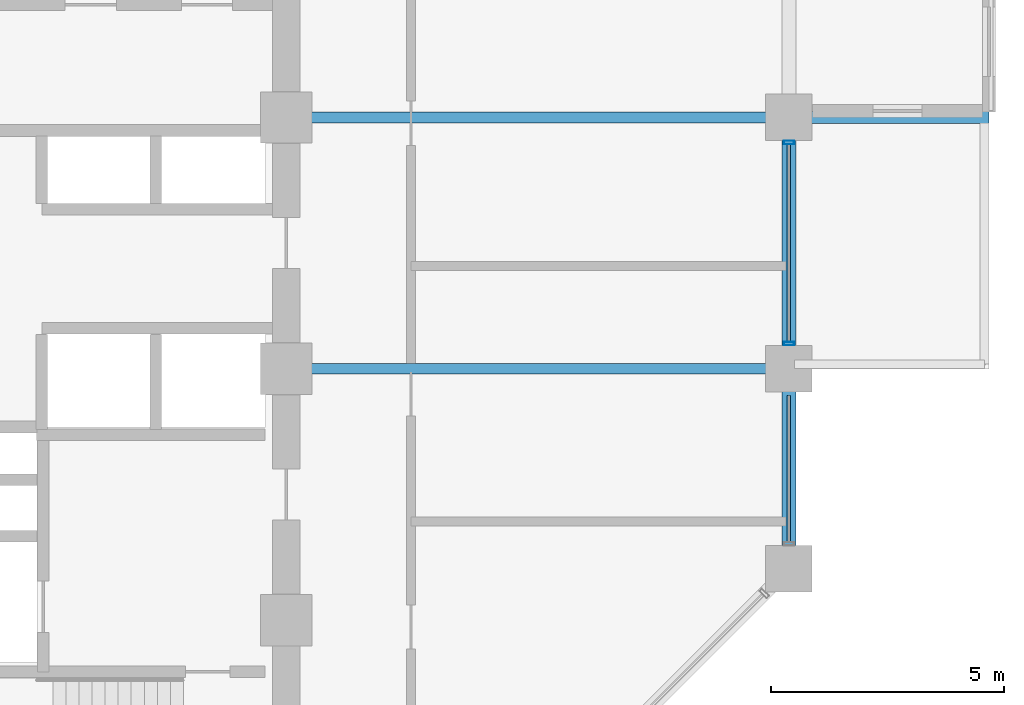
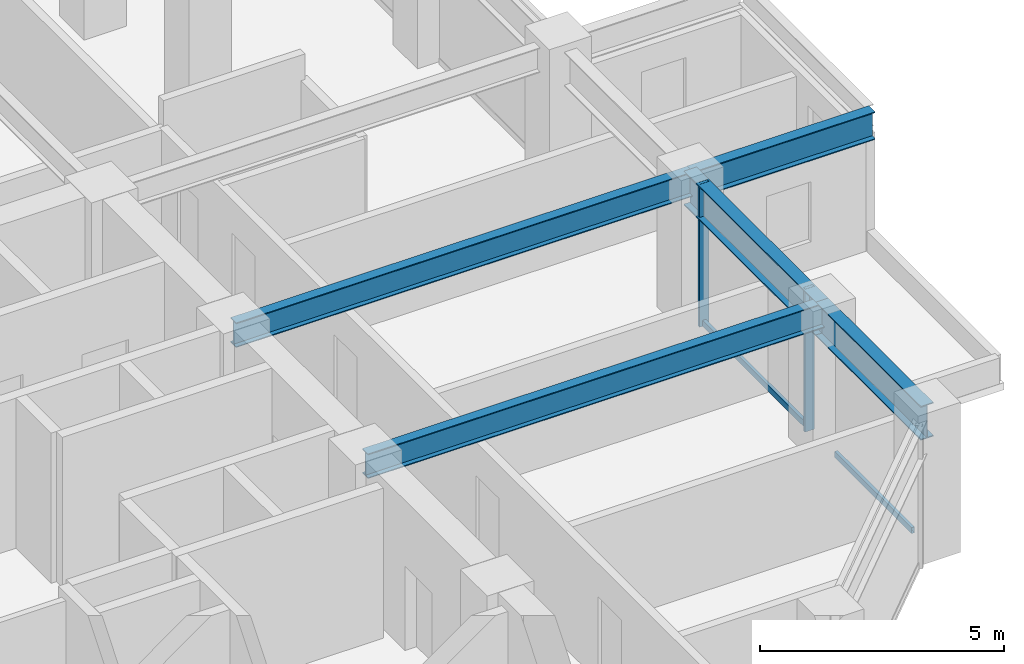
# One storey, part 9 of 29: 5 beams, 4 members, 1 element without a shape of its own.
"""IFC4 building model written with IfcOpenShell, lengths in metres."""

from ifc_helpers import new_model, si_unit, direction, frame, origin, origin_2d, place, context, subcontext, project, spatial, hollow_rectangle, i_section, extrude, material, layer, layer_set, material_profile, profile_set, type_object, element, aggregate, save


model = new_model("IFC4")

# Units and contexts
model_context = context("Model", 3, precision=1e-05, world=origin(), true_north=direction((0.0, 1.0)))
body_context = subcontext(model_context, "Body", "Model", "MODEL_VIEW")
ifc_project = project(units=[si_unit("LENGTHUNIT", "METRE"), si_unit("AREAUNIT", "SQUARE_METRE"), si_unit("VOLUMEUNIT", "CUBIC_METRE"), si_unit("PLANEANGLEUNIT", "RADIAN"), si_unit("MASSUNIT", "GRAM", prefix="KILO")], contexts=[model_context])

# Site, building, storey
site_placement = place(None, origin())
site = spatial("IfcSite", under=ifc_project, at=site_placement, CompositionType="ELEMENT")
building_placement = place(site_placement, origin())
building = spatial("IfcBuilding", under=site, at=building_placement, Name="Surkhivell Harbour Commons", CompositionType="ELEMENT")
storey_placement = place(building_placement, frame((0.0, 0.0, 150.75)))
storey = spatial("IfcBuildingStorey", under=building, at=storey_placement, Name="L39", CompositionType="ELEMENT", Elevation=150.75)

# Beams
ifc_material_1 = material(Name="Steel S460", Category="steel")
ifc_material_profile_1 = material_profile(ifc_material_1, i_section(OverallWidth=0.256103515625, OverallDepth=0.693115234375, WebThickness=0.014404296875, FlangeThickness=0.023681640625, at=origin_2d()), Name="UB686x254x170")
ifc_profile_set_1 = profile_set([ifc_material_profile_1], Name="Steel S460")
beam_type_1 = type_object("IfcBeamType", Name="BM-CNT-686", PredefinedType="BEAM", material=ifc_profile_set_1)
beam_1_placement = place(storey_placement, frame((21.60009765625, 5.39990234375, 3.223388671875), z_axis=(1.0, 0.0, 0.0), x_axis=(0.0, 1.0, 0.0)))
element("IfcBeam", 1, at=beam_1_placement, inside=storey, type_object=beam_type_1, Name="L39 Box Cantilever Outrigger (21.6,5.4)", PredefinedType="BEAM", context=body_context, shape_type="SweptSolid", body=[
    extrude(i_section(OverallWidth=0.256103515625, OverallDepth=0.693115234375, WebThickness=0.014404296875, FlangeThickness=0.023681640625, at=origin_2d()), origin(), (0.0, 0.0, 1.0), 4.2998046875),
])
ifc_material_2 = material(Name="Steel S355", Category="steel")
ifc_material_profile_2 = material_profile(ifc_material_2, i_section(OverallWidth=0.22998046875, OverallDepth=0.616943359375, WebThickness=0.01318359375, FlangeThickness=0.022216796875, at=origin_2d()), Name="UB610x229x140")
ifc_profile_set_2 = profile_set([ifc_material_profile_2], Name="Steel S355")
beam_type_2 = type_object("IfcBeamType", Name="BM-GRD-610B", PredefinedType="BEAM", material=ifc_profile_set_2)
for number, where, z_axis, x_axis, name in (
    (2, (10.800048828125, 5.39990234375, 3.261474609375), (1.0, 0.0, 0.0), (0.0, 1.0, 0.0), "L39 Cantilever Back-Span Girder (10.8,5.4)"),
    (3, (10.800048828125, 0.0, 3.261474609375), (1.0, 0.0, 0.0), (0.0, 1.0, 0.0), "L39 Floor Girder (10.8,0.0)"),
):
    element("IfcBeam", number, at=place(storey_placement, frame(where, z_axis=z_axis, x_axis=x_axis)), inside=storey, type_object=beam_type_2, Name=name, PredefinedType="BEAM", context=body_context, shape_type="SweptSolid", body=[
        extrude(i_section(OverallWidth=0.22998046875, OverallDepth=0.616943359375, WebThickness=0.01318359375, FlangeThickness=0.022216796875, at=origin_2d()), origin(), (0.0, 0.0, 1.0), 10.800048828125),
    ])
ifc_material_profile_3 = material_profile(ifc_material_1, i_section(OverallWidth=0.2939453125, OverallDepth=0.85107421875, WebThickness=0.01611328125, FlangeThickness=0.02685546875, at=origin_2d()), Name="UB838x292x226")
ifc_profile_set_3 = profile_set([ifc_material_profile_3], Name="Steel S460")
beam_type_3 = type_object("IfcBeamType", Name="BM-SPN-838", PredefinedType="SPANDREL", material=ifc_profile_set_3)
beam_2_placement = place(storey_placement, frame((21.60009765625, -4.300048828125, 3.14453125), z_axis=(0.0, 1.0, 0.0), x_axis=(-1.0, 0.0, 0.0)))
element("IfcBeam", 4, at=beam_2_placement, inside=storey, type_object=beam_type_3, Name="L39 Tube Spandrel (21.6,-4.3)", PredefinedType="SPANDREL", context=body_context, shape_type="SweptSolid", body=[
    extrude(i_section(OverallWidth=0.2939453125, OverallDepth=0.85107421875, WebThickness=0.01611328125, FlangeThickness=0.02685546875, at=origin_2d()), origin(), (0.0, 0.0, 1.0), 4.300048828125),
])
beam_3_placement = place(storey_placement, frame((21.60009765625, 0.0, 3.14453125), z_axis=(0.0, 1.0, 0.0), x_axis=(-1.0, 0.0, 0.0)))
element("IfcBeam", 5, at=beam_3_placement, inside=storey, type_object=beam_type_3, Name="L39 Tube Spandrel (21.6,0.0)", PredefinedType="SPANDREL", context=body_context, shape_type="SweptSolid", body=[
    extrude(i_section(OverallWidth=0.2939453125, OverallDepth=0.85107421875, WebThickness=0.01611328125, FlangeThickness=0.02685546875, at=origin_2d()), origin(), (0.0, 0.0, 1.0), 5.39990234375),
])

# Curtain wall, members
ifc_material_3 = material(Name="Anodised pale-metal aluminium and insulated glazing", Category="aluminium")
ifc_layer = layer(ifc_material_3, 0.205078125)
ifc_layer_set = layer_set([ifc_layer], Name="Anodised pale-metal aluminium and insulated glazing")
curtain_wall_type = type_object("IfcCurtainWallType", Name="CW-SYS-Z2", PredefinedType="NOTDEFINED", material=ifc_layer_set)
curtain_wall_placement = place(storey_placement, origin())
curtain_wall = element("IfcCurtainWall", 6, at=curtain_wall_placement, inside=storey, type_object=curtain_wall_type, Name="L39 Curtain Wall CW-L39-E02R1", PredefinedType="NOTDEFINED")
ifc_material_4 = material(Name="Anodised pale-metal aluminium alloy 6063-T6", Category="aluminium")
ifc_material_profile_4 = material_profile(ifc_material_4, hollow_rectangle(XDim=0.074951171875, YDim=0.219970703125, WallThickness=0.00390625, at=origin_2d()), Name="ALU-MULL-75x220")
ifc_profile_set_4 = profile_set([ifc_material_profile_4], Name="Anodised pale-metal aluminium alloy 6063-T6")
member_type_1 = type_object("IfcMemberType", Name="CWM-220", PredefinedType="MULLION", material=ifc_profile_set_4)
member_1_placement = place(storey_placement, frame((21.60009765625, 0.53955078125, 0.0), z_axis=(0.0, 0.0, 1.0), x_axis=(0.0, 1.0, 0.0)))
member_1 = element("IfcMember", 7, at=member_1_placement, type_object=member_type_1, Name="CW-Z2 mullion 2", PredefinedType="MULLION", context=body_context, shape_type="SweptSolid", body=[
    extrude(hollow_rectangle(XDim=0.074951171875, YDim=0.219970703125, WallThickness=0.00390625, at=origin_2d()), origin(), (0.0, 0.0, 1.0), 3.570068359375),
])
member_2_placement = place(storey_placement, frame((21.60009765625, 4.860595703125, 0.0), z_axis=(0.0, 0.0, 1.0), x_axis=(0.0, 1.0, 0.0)))
member_2 = element("IfcMember", 8, at=member_2_placement, type_object=member_type_1, Name="CW-Z2 mullion 3", PredefinedType="MULLION", context=body_context, shape_type="SweptSolid", body=[
    extrude(hollow_rectangle(XDim=0.074951171875, YDim=0.219970703125, WallThickness=0.00390625, at=origin_2d()), origin(), (0.0, 0.0, 1.0), 3.570068359375),
])
ifc_material_profile_5 = material_profile(ifc_material_4, hollow_rectangle(XDim=0.074951171875, YDim=0.14990234375, WallThickness=0.00341796875, at=origin_2d()), Name="ALU-TRAN-75x150")
ifc_profile_set_5 = profile_set([ifc_material_profile_5], Name="Anodised pale-metal aluminium alloy 6063-T6")
member_type_2 = type_object("IfcMemberType", Name="CWT-150", PredefinedType="USERDEFINED", material=ifc_profile_set_5)
member_3_placement = place(storey_placement, frame((21.60009765625, -3.722900390625, 0.074951171875), z_axis=(0.0, 1.0, 0.0), x_axis=(-1.0, 0.0, 0.0)))
member_3 = element("IfcMember", 9, at=member_3_placement, type_object=member_type_2, Name="CW-Z2 transom 1.1", ObjectType="TRANSOM", PredefinedType="USERDEFINED", context=body_context, shape_type="SweptSolid", body=[
    extrude(hollow_rectangle(XDim=0.074951171875, YDim=0.14990234375, WallThickness=0.00341796875, at=origin_2d()), origin(), (0.0, 0.0, 1.0), 3.14599609375),
])
member_4_placement = place(storey_placement, frame((21.60009765625, 0.576904296875, 0.074951171875), z_axis=(0.0, 1.0, 0.0), x_axis=(-1.0, 0.0, 0.0)))
member_4 = element("IfcMember", 10, at=member_4_placement, type_object=member_type_2, Name="CW-Z2 transom 2.1", ObjectType="TRANSOM", PredefinedType="USERDEFINED", context=body_context, shape_type="SweptSolid", body=[
    extrude(hollow_rectangle(XDim=0.074951171875, YDim=0.14990234375, WallThickness=0.00341796875, at=origin_2d()), origin(), (0.0, 0.0, 1.0), 4.24609375),
])
aggregate(curtain_wall, [member_3, member_1, member_2, member_4])

save(model, "model.ifc")
